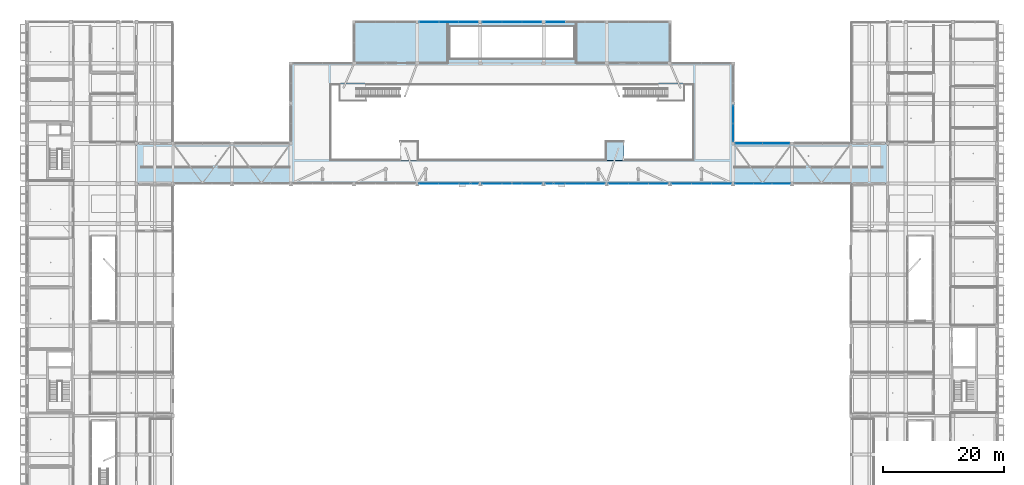
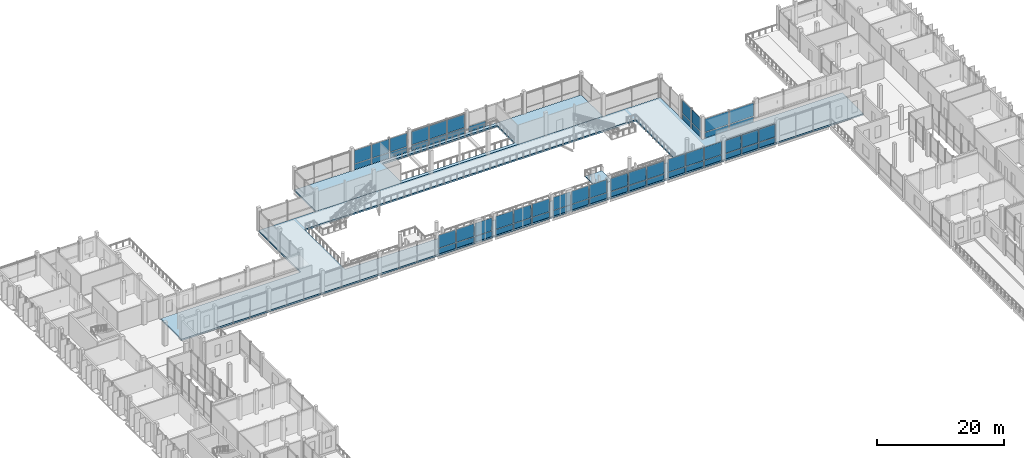
# One storey, part 47 of 95: 57 plates, 3 slabs, 11 elements without a shape of their own.
"""IFC4 building model written with IfcOpenShell, lengths in metres."""

from ifc_helpers import new_model, si_unit, derived_unit, direction, frame, origin, origin_2d, place, context, subcontext, project, spatial, polyline, rectangle, outline, extrude, material, layer, layer_set, type_object, element, aggregate, save


model = new_model("IFC4")

# Units and contexts
model_context = context("Model", 3, precision=1e-05, world=origin(), true_north=direction((0.0, 1.0)))
body_context = subcontext(model_context, "Body", "Model", "MODEL_VIEW")
ifc_project = project(units=[si_unit("LENGTHUNIT", "METRE"), si_unit("AREAUNIT", "SQUARE_METRE"), si_unit("VOLUMEUNIT", "CUBIC_METRE"), si_unit("PLANEANGLEUNIT", "RADIAN"), si_unit("MASSUNIT", "GRAM", prefix="KILO"), derived_unit("THERMALTRANSMITTANCEUNIT", [(si_unit("POWERUNIT", "WATT"), 1), (si_unit("LENGTHUNIT", "METRE"), -2), (si_unit("THERMODYNAMICTEMPERATUREUNIT", "KELVIN"), -1)])], contexts=[model_context])

# Site, building, storey
site_placement = place(None, origin())
site = spatial("IfcSite", under=ifc_project, at=site_placement, CompositionType="ELEMENT")
building_placement = place(site_placement, origin())
building = spatial("IfcBuilding", under=site, at=building_placement, Name="Braskholm Square Health Centre", CompositionType="ELEMENT")
storey_placement = place(building_placement, frame((0.0, 0.0, 4.800048828125)))
storey = spatial("IfcBuildingStorey", under=building, at=storey_placement, Name="L02", CompositionType="ELEMENT", Elevation=4.800048828125)

# Curtain wall, plates
ifc_material_1 = material(Name="Low-E triple insulating glass (VLT 0.64)", Category="glass")
curtain_wall_type = type_object("IfcCurtainWallType", Name="UnitisedCurtainWall6200x3800", PredefinedType="NOTDEFINED", material=ifc_material_1)
curtain_wall_1_placement = place(storey_placement, origin())
curtain_wall_1 = element("IfcCurtainWall", 1, at=curtain_wall_1_placement, inside=storey, type_object=curtain_wall_type, Name="Hall Gallery L02 unitised curtain wall CW-L02-0202", PredefinedType="NOTDEFINED")
ifc_material_2 = material(Name="Architectural bronze anodised aluminium", Category="aluminium")
plate_type_1 = type_object("IfcPlateType", Name="CurtainPanelSpandrel2750x1020", PredefinedType="CURTAIN_PANEL", material=ifc_material_2)
plate_1_placement = place(storey_placement, frame((122.17138671875, 87.199951171875, 0.050048828125), z_axis=(0.0, 0.0, 1.0), x_axis=(1.0, 0.0, 0.0)))
plate_1 = element("IfcPlate", 2, at=plate_1_placement, type_object=plate_type_1, Name="CW-L02-0202 spandrel panel 1", PredefinedType="CURTAIN_PANEL", context=body_context, shape_type="SweptSolid", body=[
    extrude(rectangle(XDim=2.893798828125, YDim=0.035888671875, at=origin_2d()), origin(), (0.0, 0.0, 1.0), 1.02001953125),
])
plate_2_placement = place(storey_placement, frame((125.25, 87.199951171875, 0.050048828125), z_axis=(0.0, 0.0, 1.0), x_axis=(1.0, 0.0, 0.0)))
plate_2 = element("IfcPlate", 3, at=plate_2_placement, type_object=plate_type_1, Name="CW-L02-0202 spandrel panel 2", PredefinedType="CURTAIN_PANEL", context=body_context, shape_type="SweptSolid", body=[
    extrude(rectangle(XDim=2.893798828125, YDim=0.035888671875, at=origin_2d()), origin(), (0.0, 0.0, 1.0), 1.02001953125),
])
plate_3_placement = place(storey_placement, frame((128.32861328125, 87.199951171875, 0.050048828125), z_axis=(0.0, 0.0, 1.0), x_axis=(1.0, 0.0, 0.0)))
plate_3 = element("IfcPlate", 4, at=plate_3_placement, type_object=plate_type_1, Name="CW-L02-0202 spandrel panel 3", PredefinedType="CURTAIN_PANEL", context=body_context, shape_type="SweptSolid", body=[
    extrude(rectangle(XDim=2.893798828125, YDim=0.035888671875, at=origin_2d()), origin(), (0.0, 0.0, 1.0), 1.02001953125),
])

curtain_wall_2_placement = place(storey_placement, origin())
curtain_wall_2 = element("IfcCurtainWall", 5, at=curtain_wall_2_placement, inside=storey, type_object=curtain_wall_type, Name="Hall Cheek L02 unitised curtain wall CW-L02-0223", PredefinedType="NOTDEFINED")
plate_4_placement = place(storey_placement, frame((120.39990234375, 95.617919921875, 0.050048828125), z_axis=(0.0, 0.0, 1.0), x_axis=(0.0, 1.0, 0.0)))
plate_4 = element("IfcPlate", 6, at=plate_4_placement, type_object=plate_type_1, Name="CW-L02-0223 spandrel panel 1", PredefinedType="CURTAIN_PANEL", context=body_context, shape_type="SweptSolid", body=[
    extrude(rectangle(XDim=2.820068359375, YDim=0.035888671875, at=origin_2d()), origin(), (0.0, 0.0, 1.0), 1.02001953125),
])
plate_5_placement = place(storey_placement, frame((120.39990234375, 98.58203125, 0.050048828125), z_axis=(0.0, 0.0, 1.0), x_axis=(0.0, 1.0, 0.0)))
plate_5 = element("IfcPlate", 7, at=plate_5_placement, type_object=plate_type_1, Name="CW-L02-0223 spandrel panel 2", PredefinedType="CURTAIN_PANEL", context=body_context, shape_type="SweptSolid", body=[
    extrude(rectangle(XDim=2.820068359375, YDim=0.035888671875, at=origin_2d()), origin(), (0.0, 0.0, 1.0), 1.02001953125),
])

curtain_wall_3_placement = place(storey_placement, origin())
curtain_wall_3 = element("IfcCurtainWall", 8, at=curtain_wall_3_placement, inside=storey, type_object=curtain_wall_type, Name="Hall Gallery L02 unitised curtain wall CW-L02-0189", PredefinedType="NOTDEFINED")
plate_type_2 = type_object("IfcPlateType", Name="CurtainPanelSpandrel3150x1020", PredefinedType="CURTAIN_PANEL", material=ifc_material_2)
plate_6_placement = place(storey_placement, frame((70.2880859375, 87.199951171875, 0.050048828125), z_axis=(0.0, 0.0, 1.0), x_axis=(1.0, 0.0, 0.0)))
plate_6 = element("IfcPlate", 9, at=plate_6_placement, type_object=plate_type_2, Name="CW-L02-0189 spandrel panel 1", PredefinedType="CURTAIN_PANEL", context=body_context, shape_type="SweptSolid", body=[
    extrude(rectangle(XDim=3.11328125, YDim=0.035888671875, at=origin_2d()), origin(), (0.0, 0.0, 1.0), 1.02001953125),
])
plate_7_placement = place(storey_placement, frame((73.60009765625, 87.199951171875, 0.050048828125), z_axis=(0.0, 0.0, 1.0), x_axis=(1.0, 0.0, 0.0)))
plate_7 = element("IfcPlate", 10, at=plate_7_placement, type_object=plate_type_2, Name="CW-L02-0189 spandrel panel 2", PredefinedType="CURTAIN_PANEL", context=body_context, shape_type="SweptSolid", body=[
    extrude(rectangle(XDim=3.11328125, YDim=0.035888671875, at=origin_2d()), origin(), (0.0, 0.0, 1.0), 1.02001953125),
])
plate_8_placement = place(storey_placement, frame((76.912109375, 87.199951171875, 0.050048828125), z_axis=(0.0, 0.0, 1.0), x_axis=(1.0, 0.0, 0.0)))
plate_8 = element("IfcPlate", 11, at=plate_8_placement, type_object=plate_type_2, Name="CW-L02-0189 spandrel panel 3", PredefinedType="CURTAIN_PANEL", context=body_context, shape_type="SweptSolid", body=[
    extrude(rectangle(XDim=3.11328125, YDim=0.035888671875, at=origin_2d()), origin(), (0.0, 0.0, 1.0), 1.02001953125),
])

curtain_wall_4_placement = place(storey_placement, origin())
curtain_wall_4 = element("IfcCurtainWall", 12, at=curtain_wall_4_placement, inside=storey, type_object=curtain_wall_type, Name="Hall Gallery L02 unitised curtain wall CW-L02-0191", PredefinedType="NOTDEFINED")
plate_9_placement = place(storey_placement, frame((80.68798828125, 87.199951171875, 0.050048828125), z_axis=(0.0, 0.0, 1.0), x_axis=(1.0, 0.0, 0.0)))
plate_9 = element("IfcPlate", 13, at=plate_9_placement, type_object=plate_type_2, Name="CW-L02-0191 spandrel panel 1", PredefinedType="CURTAIN_PANEL", context=body_context, shape_type="SweptSolid", body=[
    extrude(rectangle(XDim=3.11328125, YDim=0.035888671875, at=origin_2d()), origin(), (0.0, 0.0, 1.0), 1.02001953125),
])
plate_10_placement = place(storey_placement, frame((84.0, 87.199951171875, 0.050048828125), z_axis=(0.0, 0.0, 1.0), x_axis=(1.0, 0.0, 0.0)))
plate_10 = element("IfcPlate", 14, at=plate_10_placement, type_object=plate_type_2, Name="CW-L02-0191 spandrel panel 2", PredefinedType="CURTAIN_PANEL", context=body_context, shape_type="SweptSolid", body=[
    extrude(rectangle(XDim=3.11328125, YDim=0.035888671875, at=origin_2d()), origin(), (0.0, 0.0, 1.0), 1.02001953125),
])
plate_11_placement = place(storey_placement, frame((87.31201171875, 87.199951171875, 0.050048828125), z_axis=(0.0, 0.0, 1.0), x_axis=(1.0, 0.0, 0.0)))
plate_11 = element("IfcPlate", 15, at=plate_11_placement, type_object=plate_type_2, Name="CW-L02-0191 spandrel panel 3", PredefinedType="CURTAIN_PANEL", context=body_context, shape_type="SweptSolid", body=[
    extrude(rectangle(XDim=3.11328125, YDim=0.035888671875, at=origin_2d()), origin(), (0.0, 0.0, 1.0), 1.02001953125),
])

curtain_wall_5_placement = place(storey_placement, origin())
curtain_wall_5 = element("IfcCurtainWall", 16, at=curtain_wall_5_placement, inside=storey, type_object=curtain_wall_type, Name="Hall Gallery L02 unitised curtain wall CW-L02-0193", PredefinedType="NOTDEFINED")
plate_12_placement = place(storey_placement, frame((91.087890625, 87.199951171875, 0.050048828125), z_axis=(0.0, 0.0, 1.0), x_axis=(1.0, 0.0, 0.0)))
plate_12 = element("IfcPlate", 17, at=plate_12_placement, type_object=plate_type_2, Name="CW-L02-0193 spandrel panel 1", PredefinedType="CURTAIN_PANEL", context=body_context, shape_type="SweptSolid", body=[
    extrude(rectangle(XDim=3.11328125, YDim=0.035888671875, at=origin_2d()), origin(), (0.0, 0.0, 1.0), 1.02001953125),
])
plate_13_placement = place(storey_placement, frame((94.39990234375, 87.199951171875, 0.050048828125), z_axis=(0.0, 0.0, 1.0), x_axis=(1.0, 0.0, 0.0)))
plate_13 = element("IfcPlate", 18, at=plate_13_placement, type_object=plate_type_2, Name="CW-L02-0193 spandrel panel 2", PredefinedType="CURTAIN_PANEL", context=body_context, shape_type="SweptSolid", body=[
    extrude(rectangle(XDim=3.11328125, YDim=0.035888671875, at=origin_2d()), origin(), (0.0, 0.0, 1.0), 1.02001953125),
])
plate_14_placement = place(storey_placement, frame((97.7119140625, 87.199951171875, 0.050048828125), z_axis=(0.0, 0.0, 1.0), x_axis=(1.0, 0.0, 0.0)))
plate_14 = element("IfcPlate", 19, at=plate_14_placement, type_object=plate_type_2, Name="CW-L02-0193 spandrel panel 3", PredefinedType="CURTAIN_PANEL", context=body_context, shape_type="SweptSolid", body=[
    extrude(rectangle(XDim=3.11328125, YDim=0.035888671875, at=origin_2d()), origin(), (0.0, 0.0, 1.0), 1.02001953125),
])

curtain_wall_6_placement = place(storey_placement, origin())
curtain_wall_6 = element("IfcCurtainWall", 20, at=curtain_wall_6_placement, inside=storey, type_object=curtain_wall_type, Name="Hall Gallery L02 unitised curtain wall CW-L02-0196", PredefinedType="NOTDEFINED")
plate_15_placement = place(storey_placement, frame((101.488037109375, 87.199951171875, 0.050048828125), z_axis=(0.0, 0.0, 1.0), x_axis=(1.0, 0.0, 0.0)))
plate_15 = element("IfcPlate", 21, at=plate_15_placement, type_object=plate_type_2, Name="CW-L02-0196 spandrel panel 1", PredefinedType="CURTAIN_PANEL", context=body_context, shape_type="SweptSolid", body=[
    extrude(rectangle(XDim=3.11328125, YDim=0.035888671875, at=origin_2d()), origin(), (0.0, 0.0, 1.0), 1.02001953125),
])
plate_16_placement = place(storey_placement, frame((104.800048828125, 87.199951171875, 0.050048828125), z_axis=(0.0, 0.0, 1.0), x_axis=(1.0, 0.0, 0.0)))
plate_16 = element("IfcPlate", 22, at=plate_16_placement, type_object=plate_type_2, Name="CW-L02-0196 spandrel panel 2", PredefinedType="CURTAIN_PANEL", context=body_context, shape_type="SweptSolid", body=[
    extrude(rectangle(XDim=3.11328125, YDim=0.035888671875, at=origin_2d()), origin(), (0.0, 0.0, 1.0), 1.02001953125),
])
plate_17_placement = place(storey_placement, frame((108.112060546875, 87.199951171875, 0.050048828125), z_axis=(0.0, 0.0, 1.0), x_axis=(1.0, 0.0, 0.0)))
plate_17 = element("IfcPlate", 23, at=plate_17_placement, type_object=plate_type_2, Name="CW-L02-0196 spandrel panel 3", PredefinedType="CURTAIN_PANEL", context=body_context, shape_type="SweptSolid", body=[
    extrude(rectangle(XDim=3.11328125, YDim=0.035888671875, at=origin_2d()), origin(), (0.0, 0.0, 1.0), 1.02001953125),
])

curtain_wall_7_placement = place(storey_placement, origin())
curtain_wall_7 = element("IfcCurtainWall", 24, at=curtain_wall_7_placement, inside=storey, type_object=curtain_wall_type, Name="Hall Gallery L02 unitised curtain wall CW-L02-0199", PredefinedType="NOTDEFINED")
plate_18_placement = place(storey_placement, frame((111.887939453125, 87.199951171875, 0.050048828125), z_axis=(0.0, 0.0, 1.0), x_axis=(1.0, 0.0, 0.0)))
plate_18 = element("IfcPlate", 25, at=plate_18_placement, type_object=plate_type_2, Name="CW-L02-0199 spandrel panel 1", PredefinedType="CURTAIN_PANEL", context=body_context, shape_type="SweptSolid", body=[
    extrude(rectangle(XDim=3.11328125, YDim=0.035888671875, at=origin_2d()), origin(), (0.0, 0.0, 1.0), 1.02001953125),
])
plate_19_placement = place(storey_placement, frame((115.199951171875, 87.199951171875, 0.050048828125), z_axis=(0.0, 0.0, 1.0), x_axis=(1.0, 0.0, 0.0)))
plate_19 = element("IfcPlate", 26, at=plate_19_placement, type_object=plate_type_2, Name="CW-L02-0199 spandrel panel 2", PredefinedType="CURTAIN_PANEL", context=body_context, shape_type="SweptSolid", body=[
    extrude(rectangle(XDim=3.11328125, YDim=0.035888671875, at=origin_2d()), origin(), (0.0, 0.0, 1.0), 1.02001953125),
])
plate_20_placement = place(storey_placement, frame((118.511962890625, 87.199951171875, 0.050048828125), z_axis=(0.0, 0.0, 1.0), x_axis=(1.0, 0.0, 0.0)))
plate_20 = element("IfcPlate", 27, at=plate_20_placement, type_object=plate_type_2, Name="CW-L02-0199 spandrel panel 3", PredefinedType="CURTAIN_PANEL", context=body_context, shape_type="SweptSolid", body=[
    extrude(rectangle(XDim=3.11328125, YDim=0.035888671875, at=origin_2d()), origin(), (0.0, 0.0, 1.0), 1.02001953125),
])

curtain_wall_8_placement = place(storey_placement, origin())
curtain_wall_8 = element("IfcCurtainWall", 28, at=curtain_wall_8_placement, inside=storey, type_object=curtain_wall_type, Name="Hydrotherapy North unitised curtain wall CW-L02-0243", PredefinedType="NOTDEFINED")
plate_21_placement = place(storey_placement, frame((76.86669921875, 113.800048828125, 0.050048828125), z_axis=(0.0, 0.0, 1.0), x_axis=(-1.0, 0.0, 0.0)))
plate_21 = element("IfcPlate", 29, at=plate_21_placement, type_object=plate_type_2, Name="CW-L02-0243 spandrel panel 1", PredefinedType="CURTAIN_PANEL", context=body_context, shape_type="SweptSolid", body=[
    extrude(rectangle(XDim=3.07080078125, YDim=0.035888671875, at=origin_2d()), origin(), (0.0, 0.0, 1.0), 1.02001953125),
])
plate_22_placement = place(storey_placement, frame((73.60009765625, 113.800048828125, 0.050048828125), z_axis=(0.0, 0.0, 1.0), x_axis=(-1.0, 0.0, 0.0)))
plate_22 = element("IfcPlate", 30, at=plate_22_placement, type_object=plate_type_2, Name="CW-L02-0243 spandrel panel 2", PredefinedType="CURTAIN_PANEL", context=body_context, shape_type="SweptSolid", body=[
    extrude(rectangle(XDim=3.07080078125, YDim=0.035888671875, at=origin_2d()), origin(), (0.0, 0.0, 1.0), 1.02001953125),
])
plate_23_placement = place(storey_placement, frame((70.333251953125, 113.800048828125, 0.050048828125), z_axis=(0.0, 0.0, 1.0), x_axis=(-1.0, 0.0, 0.0)))
plate_23 = element("IfcPlate", 31, at=plate_23_placement, type_object=plate_type_2, Name="CW-L02-0243 spandrel panel 3", PredefinedType="CURTAIN_PANEL", context=body_context, shape_type="SweptSolid", body=[
    extrude(rectangle(XDim=3.07080078125, YDim=0.035888671875, at=origin_2d()), origin(), (0.0, 0.0, 1.0), 1.02001953125),
])

curtain_wall_9_placement = place(storey_placement, origin())
curtain_wall_9 = element("IfcCurtainWall", 32, at=curtain_wall_9_placement, inside=storey, type_object=curtain_wall_type, Name="Hydrotherapy North unitised curtain wall CW-L02-0244", PredefinedType="NOTDEFINED")
plate_24_placement = place(storey_placement, frame((87.2666015625, 113.800048828125, 0.050048828125), z_axis=(0.0, 0.0, 1.0), x_axis=(-1.0, 0.0, 0.0)))
plate_24 = element("IfcPlate", 33, at=plate_24_placement, type_object=plate_type_2, Name="CW-L02-0244 spandrel panel 1", PredefinedType="CURTAIN_PANEL", context=body_context, shape_type="SweptSolid", body=[
    extrude(rectangle(XDim=3.07080078125, YDim=0.035888671875, at=origin_2d()), origin(), (0.0, 0.0, 1.0), 1.02001953125),
])
plate_25_placement = place(storey_placement, frame((84.0, 113.800048828125, 0.050048828125), z_axis=(0.0, 0.0, 1.0), x_axis=(-1.0, 0.0, 0.0)))
plate_25 = element("IfcPlate", 34, at=plate_25_placement, type_object=plate_type_2, Name="CW-L02-0244 spandrel panel 2", PredefinedType="CURTAIN_PANEL", context=body_context, shape_type="SweptSolid", body=[
    extrude(rectangle(XDim=3.07080078125, YDim=0.035888671875, at=origin_2d()), origin(), (0.0, 0.0, 1.0), 1.02001953125),
])
plate_26_placement = place(storey_placement, frame((80.7333984375, 113.800048828125, 0.050048828125), z_axis=(0.0, 0.0, 1.0), x_axis=(-1.0, 0.0, 0.0)))
plate_26 = element("IfcPlate", 35, at=plate_26_placement, type_object=plate_type_2, Name="CW-L02-0244 spandrel panel 3", PredefinedType="CURTAIN_PANEL", context=body_context, shape_type="SweptSolid", body=[
    extrude(rectangle(XDim=3.07080078125, YDim=0.035888671875, at=origin_2d()), origin(), (0.0, 0.0, 1.0), 1.02001953125),
])

# Curtain wall, plate
curtain_wall_10_placement = place(storey_placement, origin())
curtain_wall_10 = element("IfcCurtainWall", 36, at=curtain_wall_10_placement, inside=storey, type_object=curtain_wall_type, Name="Hydrotherapy North unitised curtain wall CW-L02-0245", PredefinedType="NOTDEFINED")
plate_27_placement = place(storey_placement, frame((91.13330078125, 113.800048828125, 0.050048828125), z_axis=(0.0, 0.0, 1.0), x_axis=(-1.0, 0.0, 0.0)))
plate_27 = element("IfcPlate", 37, at=plate_27_placement, type_object=plate_type_2, Name="CW-L02-0245 spandrel panel 3", PredefinedType="CURTAIN_PANEL", context=body_context, shape_type="SweptSolid", body=[
    extrude(rectangle(XDim=3.07080078125, YDim=0.035888671875, at=origin_2d()), origin(), (0.0, 0.0, 1.0), 1.02001953125),
])
aggregate(curtain_wall_10, [plate_27])

# Curtain wall, plates
curtain_wall_11_placement = place(storey_placement, origin())
curtain_wall_11 = element("IfcCurtainWall", 38, at=curtain_wall_11_placement, inside=storey, type_object=curtain_wall_type, Name="Portal North L02 unitised curtain wall CW-L02-0205", PredefinedType="NOTDEFINED")
plate_type_3 = type_object("IfcPlateType", Name="CurtainPanelSpandrel4350x1020", PredefinedType="CURTAIN_PANEL", material=ifc_material_2)
plate_28_placement = place(storey_placement, frame((127.509033203125, 93.800048828125, 0.050048828125), z_axis=(0.0, 0.0, 1.0), x_axis=(-1.0, 0.0, 0.0)))
plate_28 = element("IfcPlate", 39, at=plate_28_placement, type_object=plate_type_3, Name="CW-L02-0205 spandrel panel 1", PredefinedType="CURTAIN_PANEL", context=body_context, shape_type="SweptSolid", body=[
    extrude(rectangle(XDim=4.298583984375, YDim=0.035888671875, at=origin_2d()), origin(), (0.0, 0.0, 1.0), 1.02001953125),
])
plate_29_placement = place(storey_placement, frame((122.990966796875, 93.800048828125, 0.050048828125), z_axis=(0.0, 0.0, 1.0), x_axis=(-1.0, 0.0, 0.0)))
plate_29 = element("IfcPlate", 40, at=plate_29_placement, type_object=plate_type_3, Name="CW-L02-0205 spandrel panel 2", PredefinedType="CURTAIN_PANEL", context=body_context, shape_type="SweptSolid", body=[
    extrude(rectangle(XDim=4.298583984375, YDim=0.035888671875, at=origin_2d()), origin(), (0.0, 0.0, 1.0), 1.02001953125),
])

# Plate
plate_type_4 = type_object("IfcPlateType", Name="CurtainPanelVision2750x2520", PredefinedType="CURTAIN_PANEL", material=ifc_material_1)
plate_30_placement = place(storey_placement, frame((122.17138671875, 87.199951171875, 1.169921875), z_axis=(0.0, 0.0, 1.0), x_axis=(1.0, 0.0, 0.0)))
plate_30 = element("IfcPlate", 41, at=plate_30_placement, type_object=plate_type_4, Name="CW-L02-0202 vision glass panel 1", PredefinedType="CURTAIN_PANEL", context=body_context, shape_type="SweptSolid", body=[
    extrude(rectangle(XDim=2.893798828125, YDim=0.035888671875, at=origin_2d()), origin(), (0.0, 0.0, 1.0), 2.4599609375),
])

plate_31_placement = place(storey_placement, frame((125.25, 87.199951171875, 1.169921875), z_axis=(0.0, 0.0, 1.0), x_axis=(1.0, 0.0, 0.0)))
plate_31 = element("IfcPlate", 42, at=plate_31_placement, type_object=plate_type_4, Name="CW-L02-0202 vision glass panel 2", PredefinedType="CURTAIN_PANEL", context=body_context, shape_type="SweptSolid", body=[
    extrude(rectangle(XDim=2.893798828125, YDim=0.035888671875, at=origin_2d()), origin(), (0.0, 0.0, 1.0), 2.4599609375),
])

plate_32_placement = place(storey_placement, frame((128.32861328125, 87.199951171875, 1.169921875), z_axis=(0.0, 0.0, 1.0), x_axis=(1.0, 0.0, 0.0)))
plate_32 = element("IfcPlate", 43, at=plate_32_placement, type_object=plate_type_4, Name="CW-L02-0202 vision glass panel 3", PredefinedType="CURTAIN_PANEL", context=body_context, shape_type="SweptSolid", body=[
    extrude(rectangle(XDim=2.893798828125, YDim=0.035888671875, at=origin_2d()), origin(), (0.0, 0.0, 1.0), 2.4599609375),
])

aggregate(curtain_wall_1, [plate_1, plate_30, plate_2, plate_31, plate_3, plate_32])

plate_33_placement = place(storey_placement, frame((120.39990234375, 95.617919921875, 1.169921875), z_axis=(0.0, 0.0, 1.0), x_axis=(0.0, 1.0, 0.0)))
plate_33 = element("IfcPlate", 44, at=plate_33_placement, type_object=plate_type_4, Name="CW-L02-0223 vision glass panel 1", PredefinedType="CURTAIN_PANEL", context=body_context, shape_type="SweptSolid", body=[
    extrude(rectangle(XDim=2.820068359375, YDim=0.035888671875, at=origin_2d()), origin(), (0.0, 0.0, 1.0), 2.5400390625),
])

plate_34_placement = place(storey_placement, frame((120.39990234375, 98.58203125, 1.169921875), z_axis=(0.0, 0.0, 1.0), x_axis=(0.0, 1.0, 0.0)))
plate_34 = element("IfcPlate", 45, at=plate_34_placement, type_object=plate_type_4, Name="CW-L02-0223 vision glass panel 2", PredefinedType="CURTAIN_PANEL", context=body_context, shape_type="SweptSolid", body=[
    extrude(rectangle(XDim=2.820068359375, YDim=0.035888671875, at=origin_2d()), origin(), (0.0, 0.0, 1.0), 2.5400390625),
])

aggregate(curtain_wall_2, [plate_4, plate_33, plate_5, plate_34])

plate_type_5 = type_object("IfcPlateType", Name="CurtainPanelVision3150x2520", PredefinedType="CURTAIN_PANEL", material=ifc_material_1)
plate_35_placement = place(storey_placement, frame((70.2880859375, 87.199951171875, 1.169921875), z_axis=(0.0, 0.0, 1.0), x_axis=(1.0, 0.0, 0.0)))
plate_35 = element("IfcPlate", 46, at=plate_35_placement, type_object=plate_type_5, Name="CW-L02-0189 vision glass panel 1", PredefinedType="CURTAIN_PANEL", context=body_context, shape_type="SweptSolid", body=[
    extrude(rectangle(XDim=3.11328125, YDim=0.035888671875, at=origin_2d()), origin(), (0.0, 0.0, 1.0), 2.45703125),
])

plate_36_placement = place(storey_placement, frame((73.60009765625, 87.199951171875, 1.169921875), z_axis=(0.0, 0.0, 1.0), x_axis=(1.0, 0.0, 0.0)))
plate_36 = element("IfcPlate", 47, at=plate_36_placement, type_object=plate_type_5, Name="CW-L02-0189 vision glass panel 2", PredefinedType="CURTAIN_PANEL", context=body_context, shape_type="SweptSolid", body=[
    extrude(rectangle(XDim=3.11328125, YDim=0.035888671875, at=origin_2d()), origin(), (0.0, 0.0, 1.0), 2.45703125),
])

plate_37_placement = place(storey_placement, frame((76.912109375, 87.199951171875, 1.169921875), z_axis=(0.0, 0.0, 1.0), x_axis=(1.0, 0.0, 0.0)))
plate_37 = element("IfcPlate", 48, at=plate_37_placement, type_object=plate_type_5, Name="CW-L02-0189 vision glass panel 3", PredefinedType="CURTAIN_PANEL", context=body_context, shape_type="SweptSolid", body=[
    extrude(rectangle(XDim=3.11328125, YDim=0.035888671875, at=origin_2d()), origin(), (0.0, 0.0, 1.0), 2.45703125),
])

aggregate(curtain_wall_3, [plate_6, plate_35, plate_7, plate_36, plate_8, plate_37])

plate_38_placement = place(storey_placement, frame((80.68798828125, 87.199951171875, 1.169921875), z_axis=(0.0, 0.0, 1.0), x_axis=(1.0, 0.0, 0.0)))
plate_38 = element("IfcPlate", 49, at=plate_38_placement, type_object=plate_type_5, Name="CW-L02-0191 vision glass panel 1", PredefinedType="CURTAIN_PANEL", context=body_context, shape_type="SweptSolid", body=[
    extrude(rectangle(XDim=3.11328125, YDim=0.035888671875, at=origin_2d()), origin(), (0.0, 0.0, 1.0), 2.45703125),
])

plate_39_placement = place(storey_placement, frame((84.0, 87.199951171875, 1.169921875), z_axis=(0.0, 0.0, 1.0), x_axis=(1.0, 0.0, 0.0)))
plate_39 = element("IfcPlate", 50, at=plate_39_placement, type_object=plate_type_5, Name="CW-L02-0191 vision glass panel 2", PredefinedType="CURTAIN_PANEL", context=body_context, shape_type="SweptSolid", body=[
    extrude(rectangle(XDim=3.11328125, YDim=0.035888671875, at=origin_2d()), origin(), (0.0, 0.0, 1.0), 2.45703125),
])

plate_40_placement = place(storey_placement, frame((87.31201171875, 87.199951171875, 1.169921875), z_axis=(0.0, 0.0, 1.0), x_axis=(1.0, 0.0, 0.0)))
plate_40 = element("IfcPlate", 51, at=plate_40_placement, type_object=plate_type_5, Name="CW-L02-0191 vision glass panel 3", PredefinedType="CURTAIN_PANEL", context=body_context, shape_type="SweptSolid", body=[
    extrude(rectangle(XDim=3.11328125, YDim=0.035888671875, at=origin_2d()), origin(), (0.0, 0.0, 1.0), 2.45703125),
])

aggregate(curtain_wall_4, [plate_9, plate_38, plate_10, plate_39, plate_11, plate_40])

plate_41_placement = place(storey_placement, frame((91.087890625, 87.199951171875, 1.169921875), z_axis=(0.0, 0.0, 1.0), x_axis=(1.0, 0.0, 0.0)))
plate_41 = element("IfcPlate", 52, at=plate_41_placement, type_object=plate_type_5, Name="CW-L02-0193 vision glass panel 1", PredefinedType="CURTAIN_PANEL", context=body_context, shape_type="SweptSolid", body=[
    extrude(rectangle(XDim=3.11328125, YDim=0.035888671875, at=origin_2d()), origin(), (0.0, 0.0, 1.0), 2.45703125),
])

plate_42_placement = place(storey_placement, frame((94.39990234375, 87.199951171875, 1.169921875), z_axis=(0.0, 0.0, 1.0), x_axis=(1.0, 0.0, 0.0)))
plate_42 = element("IfcPlate", 53, at=plate_42_placement, type_object=plate_type_5, Name="CW-L02-0193 vision glass panel 2", PredefinedType="CURTAIN_PANEL", context=body_context, shape_type="SweptSolid", body=[
    extrude(rectangle(XDim=3.11328125, YDim=0.035888671875, at=origin_2d()), origin(), (0.0, 0.0, 1.0), 2.45703125),
])

plate_43_placement = place(storey_placement, frame((97.7119140625, 87.199951171875, 1.169921875), z_axis=(0.0, 0.0, 1.0), x_axis=(1.0, 0.0, 0.0)))
plate_43 = element("IfcPlate", 54, at=plate_43_placement, type_object=plate_type_5, Name="CW-L02-0193 vision glass panel 3", PredefinedType="CURTAIN_PANEL", context=body_context, shape_type="SweptSolid", body=[
    extrude(rectangle(XDim=3.11328125, YDim=0.035888671875, at=origin_2d()), origin(), (0.0, 0.0, 1.0), 2.45703125),
])

aggregate(curtain_wall_5, [plate_12, plate_41, plate_13, plate_42, plate_14, plate_43])

plate_44_placement = place(storey_placement, frame((101.488037109375, 87.199951171875, 1.169921875), z_axis=(0.0, 0.0, 1.0), x_axis=(1.0, 0.0, 0.0)))
plate_44 = element("IfcPlate", 55, at=plate_44_placement, type_object=plate_type_5, Name="CW-L02-0196 vision glass panel 1", PredefinedType="CURTAIN_PANEL", context=body_context, shape_type="SweptSolid", body=[
    extrude(rectangle(XDim=3.11328125, YDim=0.035888671875, at=origin_2d()), origin(), (0.0, 0.0, 1.0), 2.45703125),
])

plate_45_placement = place(storey_placement, frame((104.800048828125, 87.199951171875, 1.169921875), z_axis=(0.0, 0.0, 1.0), x_axis=(1.0, 0.0, 0.0)))
plate_45 = element("IfcPlate", 56, at=plate_45_placement, type_object=plate_type_5, Name="CW-L02-0196 vision glass panel 2", PredefinedType="CURTAIN_PANEL", context=body_context, shape_type="SweptSolid", body=[
    extrude(rectangle(XDim=3.11328125, YDim=0.035888671875, at=origin_2d()), origin(), (0.0, 0.0, 1.0), 2.45703125),
])

plate_46_placement = place(storey_placement, frame((108.112060546875, 87.199951171875, 1.169921875), z_axis=(0.0, 0.0, 1.0), x_axis=(1.0, 0.0, 0.0)))
plate_46 = element("IfcPlate", 57, at=plate_46_placement, type_object=plate_type_5, Name="CW-L02-0196 vision glass panel 3", PredefinedType="CURTAIN_PANEL", context=body_context, shape_type="SweptSolid", body=[
    extrude(rectangle(XDim=3.11328125, YDim=0.035888671875, at=origin_2d()), origin(), (0.0, 0.0, 1.0), 2.45703125),
])

aggregate(curtain_wall_6, [plate_15, plate_44, plate_16, plate_45, plate_17, plate_46])

plate_47_placement = place(storey_placement, frame((111.887939453125, 87.199951171875, 1.169921875), z_axis=(0.0, 0.0, 1.0), x_axis=(1.0, 0.0, 0.0)))
plate_47 = element("IfcPlate", 58, at=plate_47_placement, type_object=plate_type_5, Name="CW-L02-0199 vision glass panel 1", PredefinedType="CURTAIN_PANEL", context=body_context, shape_type="SweptSolid", body=[
    extrude(rectangle(XDim=3.11328125, YDim=0.035888671875, at=origin_2d()), origin(), (0.0, 0.0, 1.0), 2.45703125),
])

plate_48_placement = place(storey_placement, frame((115.199951171875, 87.199951171875, 1.169921875), z_axis=(0.0, 0.0, 1.0), x_axis=(1.0, 0.0, 0.0)))
plate_48 = element("IfcPlate", 59, at=plate_48_placement, type_object=plate_type_5, Name="CW-L02-0199 vision glass panel 2", PredefinedType="CURTAIN_PANEL", context=body_context, shape_type="SweptSolid", body=[
    extrude(rectangle(XDim=3.11328125, YDim=0.035888671875, at=origin_2d()), origin(), (0.0, 0.0, 1.0), 2.45703125),
])

plate_49_placement = place(storey_placement, frame((118.511962890625, 87.199951171875, 1.169921875), z_axis=(0.0, 0.0, 1.0), x_axis=(1.0, 0.0, 0.0)))
plate_49 = element("IfcPlate", 60, at=plate_49_placement, type_object=plate_type_5, Name="CW-L02-0199 vision glass panel 3", PredefinedType="CURTAIN_PANEL", context=body_context, shape_type="SweptSolid", body=[
    extrude(rectangle(XDim=3.11328125, YDim=0.035888671875, at=origin_2d()), origin(), (0.0, 0.0, 1.0), 2.45703125),
])

aggregate(curtain_wall_7, [plate_18, plate_47, plate_19, plate_48, plate_20, plate_49])

plate_50_placement = place(storey_placement, frame((76.86669921875, 113.800048828125, 1.169921875), z_axis=(0.0, 0.0, 1.0), x_axis=(-1.0, 0.0, 0.0)))
plate_50 = element("IfcPlate", 61, at=plate_50_placement, type_object=plate_type_5, Name="CW-L02-0243 vision glass panel 1", PredefinedType="CURTAIN_PANEL", context=body_context, shape_type="SweptSolid", body=[
    extrude(rectangle(XDim=3.07080078125, YDim=0.035888671875, at=origin_2d()), origin(), (0.0, 0.0, 1.0), 2.556884765625),
])

plate_51_placement = place(storey_placement, frame((73.60009765625, 113.800048828125, 1.169921875), z_axis=(0.0, 0.0, 1.0), x_axis=(-1.0, 0.0, 0.0)))
plate_51 = element("IfcPlate", 62, at=plate_51_placement, type_object=plate_type_5, Name="CW-L02-0243 vision glass panel 2", PredefinedType="CURTAIN_PANEL", context=body_context, shape_type="SweptSolid", body=[
    extrude(rectangle(XDim=3.07080078125, YDim=0.035888671875, at=origin_2d()), origin(), (0.0, 0.0, 1.0), 2.556884765625),
])

plate_52_placement = place(storey_placement, frame((70.333251953125, 113.800048828125, 1.169921875), z_axis=(0.0, 0.0, 1.0), x_axis=(-1.0, 0.0, 0.0)))
plate_52 = element("IfcPlate", 63, at=plate_52_placement, type_object=plate_type_5, Name="CW-L02-0243 vision glass panel 3", PredefinedType="CURTAIN_PANEL", context=body_context, shape_type="SweptSolid", body=[
    extrude(rectangle(XDim=3.07080078125, YDim=0.035888671875, at=origin_2d()), origin(), (0.0, 0.0, 1.0), 2.556884765625),
])

aggregate(curtain_wall_8, [plate_21, plate_50, plate_22, plate_51, plate_23, plate_52])

plate_53_placement = place(storey_placement, frame((87.2666015625, 113.800048828125, 1.169921875), z_axis=(0.0, 0.0, 1.0), x_axis=(-1.0, 0.0, 0.0)))
plate_53 = element("IfcPlate", 64, at=plate_53_placement, type_object=plate_type_5, Name="CW-L02-0244 vision glass panel 1", PredefinedType="CURTAIN_PANEL", context=body_context, shape_type="SweptSolid", body=[
    extrude(rectangle(XDim=3.07080078125, YDim=0.035888671875, at=origin_2d()), origin(), (0.0, 0.0, 1.0), 2.556884765625),
])

plate_54_placement = place(storey_placement, frame((84.0, 113.800048828125, 1.169921875), z_axis=(0.0, 0.0, 1.0), x_axis=(-1.0, 0.0, 0.0)))
plate_54 = element("IfcPlate", 65, at=plate_54_placement, type_object=plate_type_5, Name="CW-L02-0244 vision glass panel 2", PredefinedType="CURTAIN_PANEL", context=body_context, shape_type="SweptSolid", body=[
    extrude(rectangle(XDim=3.07080078125, YDim=0.035888671875, at=origin_2d()), origin(), (0.0, 0.0, 1.0), 2.556884765625),
])

plate_55_placement = place(storey_placement, frame((80.7333984375, 113.800048828125, 1.169921875), z_axis=(0.0, 0.0, 1.0), x_axis=(-1.0, 0.0, 0.0)))
plate_55 = element("IfcPlate", 66, at=plate_55_placement, type_object=plate_type_5, Name="CW-L02-0244 vision glass panel 3", PredefinedType="CURTAIN_PANEL", context=body_context, shape_type="SweptSolid", body=[
    extrude(rectangle(XDim=3.07080078125, YDim=0.035888671875, at=origin_2d()), origin(), (0.0, 0.0, 1.0), 2.556884765625),
])

aggregate(curtain_wall_9, [plate_24, plate_53, plate_25, plate_54, plate_26, plate_55])

plate_type_6 = type_object("IfcPlateType", Name="CurtainPanelVision4350x2520", PredefinedType="CURTAIN_PANEL", material=ifc_material_1)
plate_56_placement = place(storey_placement, frame((127.509033203125, 93.800048828125, 1.169921875), z_axis=(0.0, 0.0, 1.0), x_axis=(-1.0, 0.0, 0.0)))
plate_56 = element("IfcPlate", 67, at=plate_56_placement, type_object=plate_type_6, Name="CW-L02-0205 vision glass panel 1", PredefinedType="CURTAIN_PANEL", context=body_context, shape_type="SweptSolid", body=[
    extrude(rectangle(XDim=4.298583984375, YDim=0.035888671875, at=origin_2d()), origin(), (0.0, 0.0, 1.0), 2.52001953125),
])

plate_57_placement = place(storey_placement, frame((122.990966796875, 93.800048828125, 1.169921875), z_axis=(0.0, 0.0, 1.0), x_axis=(-1.0, 0.0, 0.0)))
plate_57 = element("IfcPlate", 68, at=plate_57_placement, type_object=plate_type_6, Name="CW-L02-0205 vision glass panel 2", PredefinedType="CURTAIN_PANEL", context=body_context, shape_type="SweptSolid", body=[
    extrude(rectangle(XDim=4.298583984375, YDim=0.035888671875, at=origin_2d()), origin(), (0.0, 0.0, 1.0), 2.52001953125),
])

aggregate(curtain_wall_11, [plate_28, plate_56, plate_29, plate_57])

# Slabs
ifc_material_3 = material(Name="Concrete C35/45 (f'c = 35 MPa)", Category="concrete")
ifc_layer_1 = layer(ifc_material_3, 0.179931640625)
ifc_layer_set_1 = layer_set([ifc_layer_1], Name="Concrete C35/45 (f'c = 35 MPa)")
slab_type_1 = type_object("IfcSlabType", Name="StairLandingSlab180", PredefinedType="LANDING", material=ifc_layer_set_1)
slab_1_placement = place(storey_placement, frame((0.0, 0.0, -0.179931640625)))
element("IfcSlab", 69, at=slab_1_placement, inside=storey, type_object=slab_type_1, Name="Atrium feature stair landing SLAB-L02-HALL-BRIDGE-E", PredefinedType="LANDING", context=body_context, shape_type="SweptSolid", body=[
    extrude(outline(polyline([(99.39990234375, 91.010009765625), (102.39990234375, 91.010009765625), (102.39990234375, 94.199951171875), (99.39990234375, 94.199951171875), (99.39990234375, 91.010009765625)])), origin(), (0.0, 0.0, 1.0), 0.179931640625),
])
ifc_layer_2 = layer(ifc_material_3, 0.300048828125)
ifc_layer_set_2 = layer_set([ifc_layer_2], Name="Concrete C35/45 (f'c = 35 MPa)")
slab_type_2 = type_object("IfcSlabType", Name="TwoWayClinicalFlatSlab300", PredefinedType="FLOOR", material=ifc_layer_set_2)
slab_2_placement = place(storey_placement, frame((0.0, 0.0, -0.300048828125)))
element("IfcSlab", 70, at=slab_2_placement, inside=storey, type_object=slab_type_2, Name="Level L02 V1 Shared Waiting Hall lower gallery and portal bridge slab", PredefinedType="FLOOR", context=body_context, shape_type="SweptSolid", body=[
    extrude(outline(polyline([(22.199951171875, 87.199951171875), (145.800048828125, 87.199951171875), (145.800048828125, 93.800048828125), (120.39990234375, 93.800048828125), (120.39990234375, 107.0), (47.60009765625, 107.0), (47.60009765625, 93.800048828125), (22.199951171875, 93.800048828125), (22.199951171875, 87.199951171875)]), holes=[polyline([(54.0, 91.0), (114.0, 91.0), (114.0, 103.60009765625), (54.0, 103.60009765625), (54.0, 91.0)])]), origin(), (0.0, 0.0, 1.0), 0.300048828125),
])
slab_3_placement = place(storey_placement, frame((0.0, 0.0, -0.300048828125)))
element("IfcSlab", 71, at=slab_3_placement, inside=storey, type_object=slab_type_2, Name="Level L02 V3 Physical rehabilitation gym and natatorium gallery slab", PredefinedType="FLOOR", context=body_context, shape_type="SweptSolid", body=[
    extrude(outline(polyline([(58.0, 107.0), (110.0, 107.0), (110.0, 113.800048828125), (58.0, 113.800048828125), (58.0, 107.0)]), holes=[polyline([(73.60009765625, 107.60009765625), (94.39990234375, 107.60009765625), (94.39990234375, 113.199951171875), (73.60009765625, 113.199951171875), (73.60009765625, 107.60009765625)])]), origin(), (0.0, 0.0, 1.0), 0.300048828125),
])

save(model, "model.ifc")
